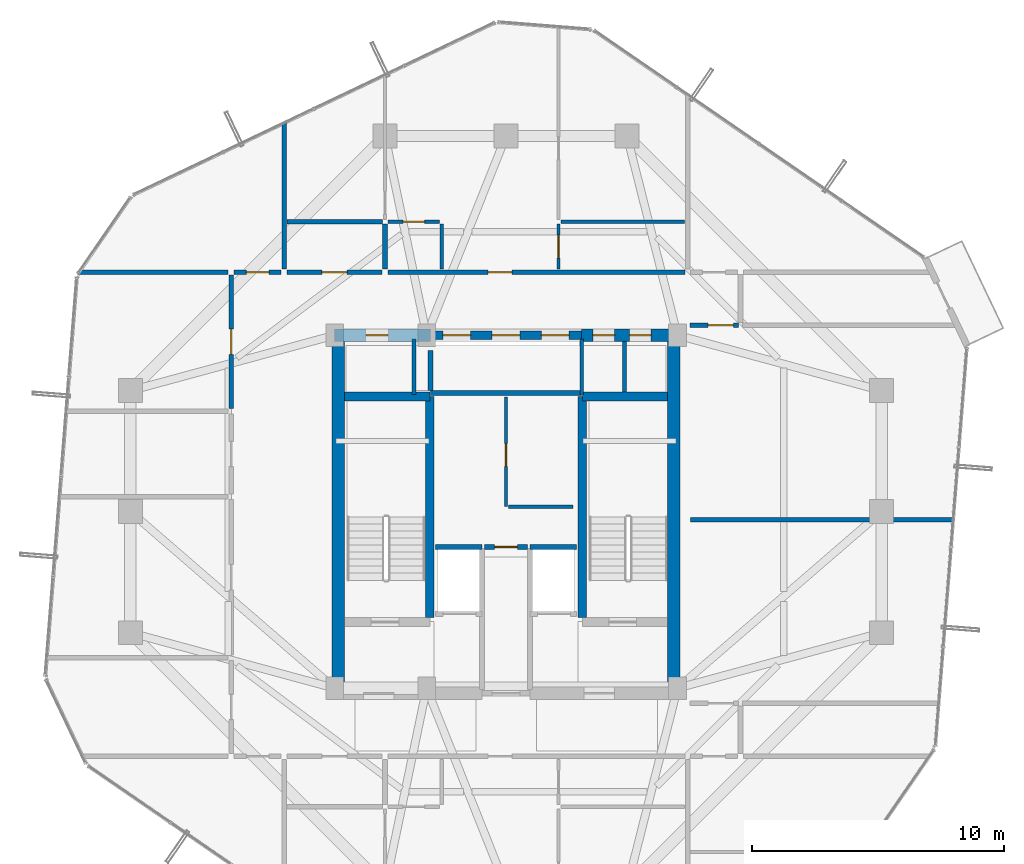
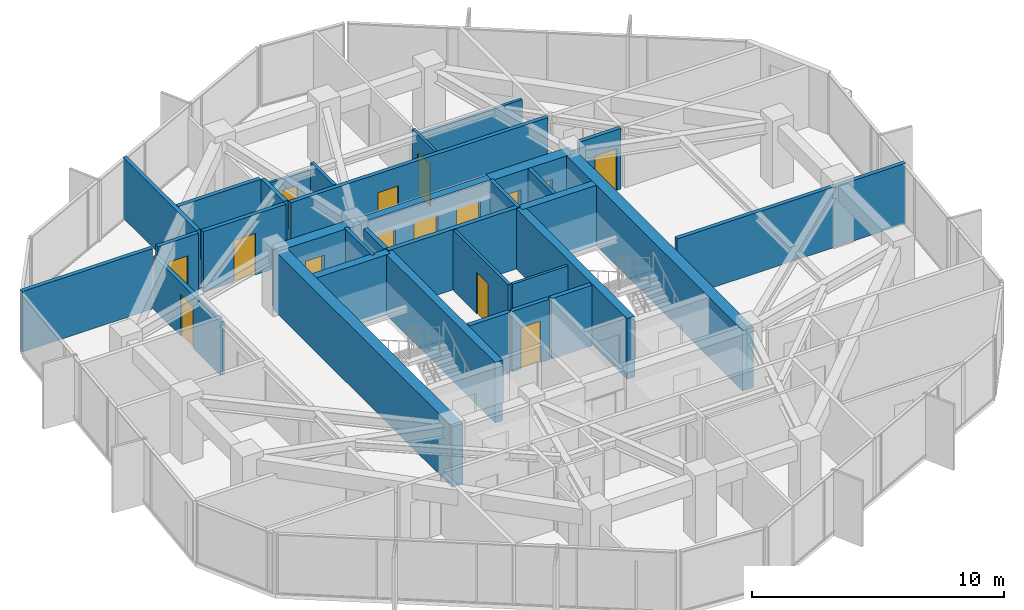
# One storey, part 26 of 29: 33 walls, 15 doors, 15 openings.
"""IFC4 building model written with IfcOpenShell, lengths in metres."""

from ifc_helpers import new_model, si_unit, direction, frame, frame_2d, origin, place, context, subcontext, project, spatial, rectangle, extrude, source, transform, mapped, material, layer, layer_set, type_object, element, fill, save


model = new_model("IFC4")

# Units and contexts
model_context = context("Model", 3, precision=1e-05, world=origin(), true_north=direction((0.0, 1.0)))
body_context = subcontext(model_context, "Body", "Model", "MODEL_VIEW")
ifc_project = project(units=[si_unit("LENGTHUNIT", "METRE"), si_unit("AREAUNIT", "SQUARE_METRE"), si_unit("VOLUMEUNIT", "CUBIC_METRE"), si_unit("PLANEANGLEUNIT", "RADIAN"), si_unit("MASSUNIT", "GRAM", prefix="KILO")], contexts=[model_context])

# Site, building, storey
site_placement = place(None, origin())
site = spatial("IfcSite", under=ifc_project, at=site_placement, CompositionType="ELEMENT")
building_placement = place(site_placement, origin())
building = spatial("IfcBuilding", under=site, at=building_placement, Name="Veraguas Prism Commons", CompositionType="ELEMENT")
storey_placement = place(building_placement, frame((0.0, 0.0, 222.14990234375)))
storey = spatial("IfcBuildingStorey", under=building, at=storey_placement, Name="L63", CompositionType="ELEMENT", Elevation=222.14990234375)

# Wall, openings, doors
ifc_material_1 = material(Name="Concrete C50/60", Category="concrete")
ifc_layer_1 = layer(ifc_material_1, 0.35009765625, Name="Core Internal Shear Wall Upper RC 350", Category="concrete")
ifc_layer_set_1 = layer_set([ifc_layer_1], Name="Concrete C50/60")
wall_type_1 = type_object("IfcWallType", Name="Core Internal Shear Wall Upper RC 350", PredefinedType="SHEAR", material=ifc_layer_set_1)
wall_1_placement = place(storey_placement, frame((21.0, 31.0, 0.0), z_axis=(0.0, 0.0, 1.0), x_axis=(1.0, 0.0, 0.0)))
wall_1 = element("IfcWall", 1, at=wall_1_placement, inside=storey, type_object=wall_type_1, Name="High-Rise Lift Bank Front Shear Wall L63", PredefinedType="SHEAR", context=body_context, shape_type="SweptSolid", body=[
    extrude(rectangle(XDim=6.0, YDim=0.35009765625, at=frame_2d((3.0, 0.0))), origin(), (0.0, 0.0, 1.0), 2.93017578125),
])
opening_1_placement = place(wall_1_placement, frame((0.5, 0.0, 0.0)))
opening_1 = element("IfcOpeningElement", 2, at=opening_1_placement, cuts=wall_1, Name="Opening LD-01", PredefinedType="OPENING", context=body_context, shape_type="SweptSolid", body=[
    extrude(rectangle(XDim=1.10009765625, YDim=2.080078125, at=frame_2d((0.550048828125, 1.0400390625))), frame((0.0, 0.18505859375, 0.0), z_axis=(0.0, -1.0, 0.0), x_axis=(1.0, 0.0, 0.0)), (0.0, 0.0, 1.0), 0.3701171875),
])
opening_2_placement = place(wall_1_placement, frame((2.449951171875, 0.0, 0.0)))
opening_2 = element("IfcOpeningElement", 3, at=opening_2_placement, cuts=wall_1, Name="Opening LD-01", PredefinedType="OPENING", context=body_context, shape_type="SweptSolid", body=[
    extrude(rectangle(XDim=1.10009765625, YDim=2.080078125, at=frame_2d((0.550048828125, 1.0400390625))), frame((0.0, 0.18505859375, 0.0), z_axis=(0.0, -1.0, 0.0), x_axis=(1.0, 0.0, 0.0)), (0.0, 0.0, 1.0), 0.3701171875),
])
opening_3_placement = place(wall_1_placement, frame((4.39990234375, 0.0, 0.0)))
opening_3 = element("IfcOpeningElement", 4, at=opening_3_placement, cuts=wall_1, Name="Opening LD-01", PredefinedType="OPENING", context=body_context, shape_type="SweptSolid", body=[
    extrude(rectangle(XDim=1.10009765625, YDim=2.080078125, at=frame_2d((0.550048828125, 1.0400390625))), frame((0.0, 0.18505859375, 0.0), z_axis=(0.0, -1.0, 0.0), x_axis=(1.0, 0.0, 0.0)), (0.0, 0.0, 1.0), 0.3701171875),
])
ifc_material_2 = material(Name="Stainless steel AISI 316", Category="steel")
door_type_1 = type_object("IfcDoorType", Name="Passenger Lift Sliding Landing Door 1100x2080", OperationType="NOTDEFINED", PredefinedType="DOOR", material=ifc_material_2)
shared_shape_1 = source(origin(), body_context, "Body", "SweptSolid", [
    extrude(rectangle(XDim=1.10009765625, YDim=2.080078125, at=frame_2d((0.550048828125, 1.0400390625))), frame((0.0, 0.02490234375, 0.0), z_axis=(0.0, -1.0, 0.0), x_axis=(1.0, 0.0, 0.0)), (0.0, 0.0, 1.0), 0.050048828125),
])
door_1_placement = place(opening_1_placement, origin())
door_1 = element("IfcDoor", 5, at=door_1_placement, inside=storey, type_object=door_type_1, Name="Sliding Landing Door PL-H1 L63", OperationType="SLIDING_TO_LEFT", OverallHeight=2.080078125, OverallWidth=1.10009765625, PredefinedType="DOOR", context=body_context, shape_type="MappedRepresentation", body=[
    mapped(shared_shape_1, transform((0.0, 0.0, 0.0), scale=1.0)),
])
fill(opening_1, door_1)
door_2_placement = place(opening_2_placement, origin())
door_2 = element("IfcDoor", 6, at=door_2_placement, inside=storey, type_object=door_type_1, Name="Sliding Landing Door PL-H2 L63", OperationType="SLIDING_TO_LEFT", OverallHeight=2.080078125, OverallWidth=1.10009765625, PredefinedType="DOOR", context=body_context, shape_type="MappedRepresentation", body=[
    mapped(shared_shape_1, transform((0.0, 0.0, 0.0), scale=1.0)),
])
fill(opening_2, door_2)
door_3_placement = place(opening_3_placement, origin())
door_3 = element("IfcDoor", 7, at=door_3_placement, inside=storey, type_object=door_type_1, Name="Sliding Landing Door PL-H3 L63", OperationType="SLIDING_TO_LEFT", OverallHeight=2.080078125, OverallWidth=1.10009765625, PredefinedType="DOOR", context=body_context, shape_type="MappedRepresentation", body=[
    mapped(shared_shape_1, transform((0.0, 0.0, 0.0), scale=1.0)),
])
fill(opening_3, door_3)

# Walls
for number, where, z_axis, x_axis, name in (
    (8, (20.97509765625, 19.800048828125, 0.0), (0.0, 0.0, 1.0), (0.0, 1.0, 0.0), "Stair ST-01 Inner Shear Wall L63"),
    (9, (27.02490234375, 19.800048828125, 0.0), (0.0, 0.0, 1.0), (0.0, 1.0, 0.0), "Stair ST-02 Inner Shear Wall L63"),
):
    element("IfcWall", number, at=place(storey_placement, frame(where, z_axis=z_axis, x_axis=x_axis)), inside=storey, type_object=wall_type_1, Name=name, PredefinedType="SHEAR", context=body_context, shape_type="SweptSolid", body=[
        extrude(rectangle(XDim=8.77490234375, YDim=0.35009765625, at=frame_2d((4.387451171875, 0.0))), origin(), (0.0, 0.0, 1.0), 2.93017578125),
    ])
for number, where, z_axis, x_axis, name in (
    (10, (17.60009765625, 28.574951171875, 0.0), (0.0, 0.0, 1.0), (1.0, 0.0, 0.0), "Stair ST-01 North Shear Wall L63"),
    (11, (27.02490234375, 28.574951171875, 0.0), (0.0, 0.0, 1.0), (1.0, 0.0, 0.0), "Stair ST-02 North Shear Wall L63"),
):
    element("IfcWall", number, at=place(storey_placement, frame(where, z_axis=z_axis, x_axis=x_axis)), inside=storey, type_object=wall_type_1, Name=name, PredefinedType="SHEAR", context=body_context, shape_type="SweptSolid", body=[
        extrude(rectangle(XDim=3.375, YDim=0.35009765625, at=frame_2d((1.6875, 0.0))), origin(), (0.0, 0.0, 1.0), 2.93017578125),
    ])
ifc_layer_2 = layer(ifc_material_1, 0.5, Name="Core Outer Shear Wall Upper RC 500", Category="concrete")
ifc_layer_set_2 = layer_set([ifc_layer_2], Name="Concrete C50/60")
wall_type_2 = type_object("IfcWallType", Name="Core Outer Shear Wall Upper RC 500", PredefinedType="SHEAR", material=ifc_layer_set_2)
for number, where, z_axis, x_axis, name in (
    (12, (17.35009765625, 16.800048828125, 0.0), (0.0, 0.0, 1.0), (0.0, 1.0, 0.0), "Central Core West Shear Wall L63"),
    (13, (30.64990234375, 16.800048828125, 0.0), (0.0, 0.0, 1.0), (0.0, 1.0, 0.0), "Central Core East Shear Wall L63"),
):
    element("IfcWall", number, at=place(storey_placement, frame(where, z_axis=z_axis, x_axis=x_axis)), inside=storey, type_object=wall_type_2, Name=name, PredefinedType="SHEAR", context=body_context, shape_type="SweptSolid", body=[
        extrude(rectangle(XDim=14.199951171875, YDim=0.5, at=frame_2d((7.10009765625, 0.0))), origin(), (0.0, 0.0, 1.0), 2.93017578125),
    ])

# Wall, opening, door
wall_2_placement = place(storey_placement, frame((17.199951171875, 31.0, 0.0), z_axis=(0.0, 0.0, 1.0), x_axis=(1.0, 0.0, 0.0)))
wall_2 = element("IfcWall", 14, at=wall_2_placement, inside=storey, type_object=wall_type_2, Name="Central Core North-West Shear Wall L63", PredefinedType="SHEAR", context=body_context, shape_type="SweptSolid", body=[
    extrude(rectangle(XDim=3.800048828125, YDim=0.5, at=frame_2d((1.89990234375, 0.0))), origin(), (0.0, 0.0, 1.0), 2.93017578125),
])
opening_4_placement = place(wall_2_placement, frame((1.25, 0.0, 0.0)))
opening_4 = element("IfcOpeningElement", 15, at=opening_4_placement, cuts=wall_2, Name="Opening DR-12", PredefinedType="OPENING", context=body_context, shape_type="SweptSolid", body=[
    extrude(rectangle(XDim=0.860107421875, YDim=2.010009765625, at=frame_2d((0.43017578125, 1.0048828125))), frame((0.0, 0.260009765625, 0.0), z_axis=(0.0, -1.0, 0.0), x_axis=(1.0, 0.0, 0.0)), (0.0, 0.0, 1.0), 0.52001953125),
])
ifc_material_3 = material(Name="Steel fire-rated door assembly", Category="steel")
door_type_2 = type_object("IfcDoorType", Name="Core WC Fire Door 860x2010", OperationType="NOTDEFINED", PredefinedType="DOOR", material=ifc_material_3)
shared_shape_2 = source(origin(), body_context, "Body", "SweptSolid", [
    extrude(rectangle(XDim=0.860107421875, YDim=2.010009765625, at=frame_2d((0.43017578125, 1.0048828125))), frame((0.0, 0.02490234375, 0.0), z_axis=(0.0, -1.0, 0.0), x_axis=(1.0, 0.0, 0.0)), (0.0, 0.0, 1.0), 0.050048828125),
])
door_4_placement = place(opening_4_placement, origin())
door_4 = element("IfcDoor", 16, at=door_4_placement, inside=storey, type_object=door_type_2, Name="Core NW Service Door L63", OperationType="SINGLE_SWING_RIGHT", OverallHeight=2.010009765625, OverallWidth=0.860107421875, PredefinedType="DOOR", context=body_context, shape_type="MappedRepresentation", body=[
    mapped(shared_shape_2, transform((0.0, 0.0, 0.0), scale=1.0)),
])
fill(opening_4, door_4)

# Wall, openings, doors
wall_3_placement = place(storey_placement, frame((27.0, 31.0, 0.0), z_axis=(0.0, 0.0, 1.0), x_axis=(1.0, 0.0, 0.0)))
wall_3 = element("IfcWall", 17, at=wall_3_placement, inside=storey, type_object=wall_type_2, Name="Central Core North-East Shear Wall L63", PredefinedType="SHEAR", context=body_context, shape_type="SweptSolid", body=[
    extrude(rectangle(XDim=3.800048828125, YDim=0.5, at=frame_2d((1.89990234375, 0.0))), origin(), (0.0, 0.0, 1.0), 2.93017578125),
])
opening_5_placement = place(wall_3_placement, frame((0.449951171875, 0.0, 0.0)))
opening_5 = element("IfcOpeningElement", 18, at=opening_5_placement, cuts=wall_3, Name="Opening DR-12", PredefinedType="OPENING", context=body_context, shape_type="SweptSolid", body=[
    extrude(rectangle(XDim=0.860107421875, YDim=2.010009765625, at=frame_2d((0.43017578125, 1.0048828125))), frame((0.0, 0.260009765625, 0.0), z_axis=(0.0, -1.0, 0.0), x_axis=(1.0, 0.0, 0.0)), (0.0, 0.0, 1.0), 0.52001953125),
])
opening_6_placement = place(wall_3_placement, frame((1.89990234375, 0.0, 0.0)))
opening_6 = element("IfcOpeningElement", 19, at=opening_6_placement, cuts=wall_3, Name="Opening DR-12", PredefinedType="OPENING", context=body_context, shape_type="SweptSolid", body=[
    extrude(rectangle(XDim=0.860107421875, YDim=2.010009765625, at=frame_2d((0.43017578125, 1.0048828125))), frame((0.0, 0.260009765625, 0.0), z_axis=(0.0, -1.0, 0.0), x_axis=(1.0, 0.0, 0.0)), (0.0, 0.0, 1.0), 0.52001953125),
])
door_5_placement = place(opening_5_placement, origin())
door_5 = element("IfcDoor", 20, at=door_5_placement, inside=storey, type_object=door_type_2, Name="Core NE Room A Door L63", OperationType="SINGLE_SWING_LEFT", OverallHeight=2.010009765625, OverallWidth=0.860107421875, PredefinedType="DOOR", context=body_context, shape_type="MappedRepresentation", body=[
    mapped(shared_shape_2, transform((0.0, 0.0, 0.0), scale=1.0)),
])
fill(opening_5, door_5)
door_6_placement = place(opening_6_placement, origin())
door_6 = element("IfcDoor", 21, at=door_6_placement, inside=storey, type_object=door_type_2, Name="Core NE Room B Door L63", OperationType="SINGLE_SWING_RIGHT", OverallHeight=2.010009765625, OverallWidth=0.860107421875, PredefinedType="DOOR", context=body_context, shape_type="MappedRepresentation", body=[
    mapped(shared_shape_2, transform((0.0, 0.0, 0.0), scale=1.0)),
])
fill(opening_6, door_6)

# Wall, opening, door
ifc_material_4 = material(Name="Autoclaved aerated masonry block 10 MPa", Category="masonry")
ifc_layer_3 = layer(ifc_material_4, 0.179931640625, Name="Corridor and Inter-Tenancy Partition 180", Category="masonry")
ifc_layer_set_3 = layer_set([ifc_layer_3], Name="Autoclaved aerated masonry block 10 MPa")
wall_type_3 = type_object("IfcWallType", Name="Corridor and Inter-Tenancy Partition 180", PredefinedType="PARTITIONING", material=ifc_layer_set_3)
wall_4_placement = place(storey_placement, frame((23.14990234375, 22.60009765625, 0.0), z_axis=(0.0, 0.0, 1.0), x_axis=(1.0, 0.0, 0.0)))
wall_4 = element("IfcWall", 22, at=wall_4_placement, inside=storey, type_object=wall_type_3, Name="Core Suite Entry Wall L63", PredefinedType="PARTITIONING", context=body_context, shape_type="SweptSolid", body=[
    extrude(rectangle(XDim=1.7001953125, YDim=0.179931640625, at=frame_2d((0.85009765625, 0.0))), origin(), (0.0, 0.0, 1.0), 2.93017578125),
])
opening_7_placement = place(wall_4_placement, frame((0.39990234375, 0.0, 0.0)))
opening_7 = element("IfcOpeningElement", 23, at=opening_7_placement, cuts=wall_4, Name="Opening DR-14", PredefinedType="OPENING", context=body_context, shape_type="SweptSolid", body=[
    extrude(rectangle(XDim=0.89990234375, YDim=2.010009765625, at=frame_2d((0.449951171875, 1.0048828125))), frame((0.0, 0.099853515625, 0.0), z_axis=(0.0, -1.0, 0.0), x_axis=(1.0, 0.0, 0.0)), (0.0, 0.0, 1.0), 0.199951171875),
])
door_type_3 = type_object("IfcDoorType", Name="Core Service Room Fire Door 900x2010", OperationType="NOTDEFINED", PredefinedType="DOOR", material=ifc_material_3)
shared_shape_3 = source(origin(), body_context, "Body", "SweptSolid", [
    extrude(rectangle(XDim=0.89990234375, YDim=2.010009765625, at=frame_2d((0.449951171875, 1.0048828125))), frame((0.0, 0.02490234375, 0.0), z_axis=(0.0, -1.0, 0.0), x_axis=(1.0, 0.0, 0.0)), (0.0, 0.0, 1.0), 0.050048828125),
])
door_7_placement = place(opening_7_placement, origin())
door_7 = element("IfcDoor", 24, at=door_7_placement, inside=storey, type_object=door_type_3, Name="Core Suite Entry Door L63", OperationType="SINGLE_SWING_LEFT", OverallHeight=2.010009765625, OverallWidth=0.89990234375, PredefinedType="DOOR", context=body_context, shape_type="MappedRepresentation", body=[
    mapped(shared_shape_3, transform((0.0, 0.0, 0.0), scale=1.0)),
])
fill(opening_7, door_7)

# Wall
wall_5_placement = place(storey_placement, frame((15.199951171875, 33.6201171875, 0.0), z_axis=(0.0, 0.0, 1.0), x_axis=(0.0, 1.0, 0.0)))
element("IfcWall", 25, at=wall_5_placement, inside=storey, type_object=wall_type_3, Name="WL-L63-PT013", PredefinedType="PARTITIONING", context=body_context, shape_type="SweptSolid", body=[
    extrude(rectangle(XDim=5.837890625, YDim=0.179931640625, at=frame_2d((2.9189453125, 0.0))), origin(), (0.0, 0.0, 1.0), 2.93017578125),
])

# Wall, opening, door
wall_6_placement = place(storey_placement, frame((15.31005859375, 33.5, 0.0), z_axis=(0.0, 0.0, 1.0), x_axis=(1.0, 0.0, 0.0)))
wall_6 = element("IfcWall", 26, at=wall_6_placement, inside=storey, type_object=wall_type_3, Name="WL-L63-PT015", PredefinedType="PARTITIONING", context=body_context, shape_type="SweptSolid", body=[
    extrude(rectangle(XDim=3.780029296875, YDim=0.179931640625, at=frame_2d((1.89013671875, 0.0))), origin(), (0.0, 0.0, 1.0), 2.93017578125),
])
opening_8_placement = place(wall_6_placement, frame((1.389892578125, 0.0, 0.0)))
opening_8 = element("IfcOpeningElement", 27, at=opening_8_placement, cuts=wall_6, Name="Opening DR-13", PredefinedType="OPENING", context=body_context, shape_type="SweptSolid", body=[
    extrude(rectangle(XDim=1.0, YDim=2.010009765625, at=frame_2d((0.5, 1.0048828125))), frame((0.0, 0.099853515625, 0.0), z_axis=(0.0, -1.0, 0.0), x_axis=(1.0, 0.0, 0.0)), (0.0, 0.0, 1.0), 0.199951171875),
])
door_type_4 = type_object("IfcDoorType", Name="Core Accessible WC and Clinic Fire Door 1000x2010", OperationType="NOTDEFINED", PredefinedType="DOOR", material=ifc_material_3)
shared_shape_4 = source(origin(), body_context, "Body", "SweptSolid", [
    extrude(rectangle(XDim=1.0, YDim=2.010009765625, at=frame_2d((0.5, 1.0048828125))), frame((0.0, 0.02490234375, 0.0), z_axis=(0.0, -1.0, 0.0), x_axis=(1.0, 0.0, 0.0)), (0.0, 0.0, 1.0), 0.050048828125),
])
door_8_placement = place(opening_8_placement, origin())
door_8 = element("IfcDoor", 28, at=door_8_placement, inside=storey, type_object=door_type_4, Name="Residents Study Alcove 63B Door", OperationType="SINGLE_SWING_LEFT", OverallHeight=2.010009765625, OverallWidth=1.0, PredefinedType="DOOR", context=body_context, shape_type="MappedRepresentation", body=[
    mapped(shared_shape_4, transform((0.0, 0.0, 0.0), scale=1.0)),
])
fill(opening_8, door_8)

wall_7_placement = place(storey_placement, frame((19.31005859375, 33.5, 0.0), z_axis=(0.0, 0.0, 1.0), x_axis=(1.0, 0.0, 0.0)))
wall_7 = element("IfcWall", 29, at=wall_7_placement, inside=storey, type_object=wall_type_3, Name="WL-L63-PT016", PredefinedType="PARTITIONING", context=body_context, shape_type="SweptSolid", body=[
    extrude(rectangle(XDim=11.780029296875, YDim=0.179931640625, at=frame_2d((5.89013671875, 0.0))), origin(), (0.0, 0.0, 1.0), 2.93017578125),
])
opening_9_placement = place(wall_7_placement, frame((3.97998046875, 0.0, 0.0)))
opening_9 = element("IfcOpeningElement", 30, at=opening_9_placement, cuts=wall_7, Name="Opening DR-01", PredefinedType="OPENING", context=body_context, shape_type="SweptSolid", body=[
    extrude(rectangle(XDim=0.949951171875, YDim=2.02001953125, at=frame_2d((0.47509765625, 1.010009765625))), frame((0.0, 0.099853515625, 0.0), z_axis=(0.0, -1.0, 0.0), x_axis=(1.0, 0.0, 0.0)), (0.0, 0.0, 1.0), 0.199951171875),
])
ifc_material_5 = material(Name="Anodised aluminium EN AW-6063 T6", Category="aluminium")
door_type_5 = type_object("IfcDoorType", Name="Apartment Entrance Fire Door 950x2020", OperationType="NOTDEFINED", PredefinedType="DOOR", material=ifc_material_5)
shared_shape_5 = source(origin(), body_context, "Body", "SweptSolid", [
    extrude(rectangle(XDim=0.949951171875, YDim=2.02001953125, at=frame_2d((0.47509765625, 1.010009765625))), frame((0.0, 0.02490234375, 0.0), z_axis=(0.0, -1.0, 0.0), x_axis=(1.0, 0.0, 0.0)), (0.0, 0.0, 1.0), 0.050048828125),
])
door_9_placement = place(opening_9_placement, origin())
door_9 = element("IfcDoor", 31, at=door_9_placement, inside=storey, type_object=door_type_5, Name="Flat 63B Entrance Door", OperationType="SINGLE_SWING_RIGHT", OverallHeight=2.02001953125, OverallWidth=0.949951171875, PredefinedType="DOOR", context=body_context, shape_type="MappedRepresentation", body=[
    mapped(shared_shape_5, transform((0.0, 0.0, 0.0), scale=1.0)),
])
fill(opening_9, door_9)

# Walls
wall_8_placement = place(storey_placement, frame((15.320068359375, 35.5, 0.0), z_axis=(0.0, 0.0, 1.0), x_axis=(1.0, 0.0, 0.0)))
element("IfcWall", 32, at=wall_8_placement, inside=storey, type_object=wall_type_3, Name="WL-L63-PT017", PredefinedType="PARTITIONING", context=body_context, shape_type="SweptSolid", body=[
    extrude(rectangle(XDim=3.780029296875, YDim=0.179931640625, at=frame_2d((1.89013671875, 0.0))), origin(), (0.0, 0.0, 1.0), 2.93017578125),
])
wall_9_placement = place(storey_placement, frame((19.199951171875, 33.6201171875, 0.0), z_axis=(0.0, 0.0, 1.0), x_axis=(0.0, 1.0, 0.0)))
element("IfcWall", 33, at=wall_9_placement, inside=storey, type_object=wall_type_3, Name="WL-L63-PT018", PredefinedType="PARTITIONING", context=body_context, shape_type="SweptSolid", body=[
    extrude(rectangle(XDim=1.7998046875, YDim=0.179931640625, at=frame_2d((0.89990234375, 0.0))), origin(), (0.0, 0.0, 1.0), 2.93017578125),
])
wall_10_placement = place(storey_placement, frame((12.97998046875, 33.5, 0.0), z_axis=(0.0, 0.0, 1.0), x_axis=(-1.0, 0.0, 0.0)))
element("IfcWall", 34, at=wall_10_placement, inside=storey, type_object=wall_type_3, Name="WL-L63-PT026", PredefinedType="PARTITIONING", context=body_context, shape_type="SweptSolid", body=[
    extrude(rectangle(XDim=5.958984375, YDim=0.179931640625, at=frame_2d((2.9794921875, 0.0))), origin(), (0.0, 0.0, 1.0), 2.93017578125),
])

# Wall, opening, door
wall_11_placement = place(storey_placement, frame((13.10009765625, 28.087890625, 0.0), z_axis=(0.0, 0.0, 1.0), x_axis=(0.0, 1.0, 0.0)))
wall_11 = element("IfcWall", 35, at=wall_11_placement, inside=storey, type_object=wall_type_3, Name="WL-L63-PT032", PredefinedType="PARTITIONING", context=body_context, shape_type="SweptSolid", body=[
    extrude(rectangle(XDim=5.302001953125, YDim=0.179931640625, at=frame_2d((2.65087890625, 0.0))), origin(), (0.0, 0.0, 1.0), 2.5771484375),
])
opening_10_placement = place(wall_11_placement, frame((2.15087890625, 0.0, 0.0)))
opening_10 = element("IfcOpeningElement", 36, at=opening_10_placement, cuts=wall_11, Name="Opening DR-13", PredefinedType="OPENING", context=body_context, shape_type="SweptSolid", body=[
    extrude(rectangle(XDim=1.0, YDim=2.010009765625, at=frame_2d((0.5, 1.0048828125))), frame((0.0, 0.099853515625, 0.0), z_axis=(0.0, -1.0, 0.0), x_axis=(1.0, 0.0, 0.0)), (0.0, 0.0, 1.0), 0.199951171875),
])
door_10_placement = place(opening_10_placement, origin())
door_10 = element("IfcDoor", 37, at=door_10_placement, inside=storey, type_object=door_type_4, Name="Co-op Store W Door", OperationType="SINGLE_SWING_RIGHT", OverallHeight=2.010009765625, OverallWidth=1.0, PredefinedType="DOOR", context=body_context, shape_type="MappedRepresentation", body=[
    mapped(shared_shape_4, transform((0.0, 0.0, 0.0), scale=1.0)),
])
fill(opening_10, door_10)

# Wall
wall_12_placement = place(storey_placement, frame((31.320068359375, 23.675048828125, 0.0), z_axis=(0.0, 0.0, 1.0), x_axis=(1.0, 0.0, 0.0)))
element("IfcWall", 38, at=wall_12_placement, inside=storey, type_object=wall_type_3, Name="WL-L63-PT034", PredefinedType="PARTITIONING", context=body_context, shape_type="SweptSolid", body=[
    extrude(rectangle(XDim=10.449951171875, YDim=0.179931640625, at=frame_2d((5.22509765625, 0.0))), origin(), (0.0, 0.0, 1.0), 2.93017578125),
])

# Wall, opening, door
wall_13_placement = place(storey_placement, frame((31.300048828125, 31.39990234375, 0.0), z_axis=(0.0, 0.0, 1.0), x_axis=(1.0, 0.0, 0.0)))
wall_13 = element("IfcWall", 39, at=wall_13_placement, inside=storey, type_object=wall_type_3, Name="WL-L63-PT039", PredefinedType="PARTITIONING", context=body_context, shape_type="SweptSolid", body=[
    extrude(rectangle(XDim=1.919921875, YDim=0.179931640625, at=frame_2d((0.9599609375, 0.0))), origin(), (0.0, 0.0, 1.0), 2.93017578125),
])
opening_11_placement = place(wall_13_placement, frame((0.719970703125, 0.0, 0.0)))
opening_11 = element("IfcOpeningElement", 40, at=opening_11_placement, cuts=wall_13, Name="Opening DR-13", PredefinedType="OPENING", context=body_context, shape_type="SweptSolid", body=[
    extrude(rectangle(XDim=1.0, YDim=2.010009765625, at=frame_2d((0.5, 1.0048828125))), frame((0.0, 0.099853515625, 0.0), z_axis=(0.0, -1.0, 0.0), x_axis=(1.0, 0.0, 0.0)), (0.0, 0.0, 1.0), 0.199951171875),
])
door_11_placement = place(opening_11_placement, origin())
door_11 = element("IfcDoor", 41, at=door_11_placement, inside=storey, type_object=door_type_4, Name="Study Salon Door L63", OperationType="SINGLE_SWING_RIGHT", OverallHeight=2.010009765625, OverallWidth=1.0, PredefinedType="DOOR", context=body_context, shape_type="MappedRepresentation", body=[
    mapped(shared_shape_4, transform((0.0, 0.0, 0.0), scale=1.0)),
])
fill(opening_11, door_11)

wall_14_placement = place(storey_placement, frame((13.219970703125, 33.5, 0.0), z_axis=(0.0, 0.0, 1.0), x_axis=(1.0, 0.0, 0.0)))
wall_14 = element("IfcWall", 42, at=wall_14_placement, inside=storey, type_object=wall_type_3, Name="WL-L63-PT045", PredefinedType="PARTITIONING", context=body_context, shape_type="SweptSolid", body=[
    extrude(rectangle(XDim=1.860107421875, YDim=0.179931640625, at=frame_2d((0.93017578125, 0.0))), origin(), (0.0, 0.0, 1.0), 2.93017578125),
])
opening_12_placement = place(wall_14_placement, frame((0.47998046875, 0.0, 0.0)))
opening_12 = element("IfcOpeningElement", 43, at=opening_12_placement, cuts=wall_14, Name="Opening DR-14", PredefinedType="OPENING", context=body_context, shape_type="SweptSolid", body=[
    extrude(rectangle(XDim=0.89990234375, YDim=2.010009765625, at=frame_2d((0.449951171875, 1.0048828125))), frame((0.0, 0.099853515625, 0.0), z_axis=(0.0, -1.0, 0.0), x_axis=(1.0, 0.0, 0.0)), (0.0, 0.0, 1.0), 0.199951171875),
])
door_12_placement = place(opening_12_placement, origin())
door_12 = element("IfcDoor", 44, at=door_12_placement, inside=storey, type_object=door_type_3, Name="Community Co-op Kitchen NW Door", OperationType="SINGLE_SWING_RIGHT", OverallHeight=2.010009765625, OverallWidth=0.89990234375, PredefinedType="DOOR", context=body_context, shape_type="MappedRepresentation", body=[
    mapped(shared_shape_3, transform((0.0, 0.0, 0.0), scale=1.0)),
])
fill(opening_12, door_12)

# Wall
ifc_material_6 = material(Name="Lightweight acoustic gypsum board")
ifc_layer_4 = layer(ifc_material_6, 0.125, Name="Internal Apartment Room Partition 125")
ifc_layer_set_4 = layer_set([ifc_layer_4], Name="Lightweight acoustic gypsum board")
wall_type_4 = type_object("IfcWallType", Name="Internal Apartment Room Partition 125", PredefinedType="PARTITIONING", material=ifc_layer_set_4)
wall_15_placement = place(storey_placement, frame((24.10009765625, 24.199951171875, 0.0), z_axis=(0.0, 0.0, 1.0), x_axis=(1.0, 0.0, 0.0)))
element("IfcWall", 45, at=wall_15_placement, inside=storey, type_object=wall_type_4, Name="Telehealth Pod South Wall L63", PredefinedType="PARTITIONING", context=body_context, shape_type="SweptSolid", body=[
    extrude(rectangle(XDim=2.5498046875, YDim=0.125, at=frame_2d((1.27490234375, 0.0))), origin(), (0.0, 0.0, 1.0), 2.93017578125),
])

# Wall, opening, door
wall_16_placement = place(storey_placement, frame((24.0, 24.199951171875, 0.0), z_axis=(0.0, 0.0, 1.0), x_axis=(0.0, 1.0, 0.0)))
wall_16 = element("IfcWall", 46, at=wall_16_placement, inside=storey, type_object=wall_type_4, Name="Telehealth Pod West Wall L63", PredefinedType="PARTITIONING", context=body_context, shape_type="SweptSolid", body=[
    extrude(rectangle(XDim=4.35009765625, YDim=0.125, at=frame_2d((2.175048828125, 0.0))), origin(), (0.0, 0.0, 1.0), 2.93017578125),
])
opening_13_placement = place(wall_16_placement, frame((1.60009765625, 0.0, 0.0)))
opening_13 = element("IfcOpeningElement", 47, at=opening_13_placement, cuts=wall_16, Name="Opening DR-02", PredefinedType="OPENING", context=body_context, shape_type="SweptSolid", body=[
    extrude(rectangle(XDim=0.89990234375, YDim=2.010009765625, at=frame_2d((0.449951171875, 1.0048828125))), frame((0.0, 0.072509765625, 0.0), z_axis=(0.0, -1.0, 0.0), x_axis=(1.0, 0.0, 0.0)), (0.0, 0.0, 1.0), 0.14501953125),
])
ifc_material_7 = material(Name="Timber solid core hardwood", Category="wood")
door_type_6 = type_object("IfcDoorType", Name="Internal Habitable Room Door 900x2010", OperationType="NOTDEFINED", PredefinedType="DOOR", material=ifc_material_7)
door_13_placement = place(opening_13_placement, origin())
door_13 = element("IfcDoor", 48, at=door_13_placement, inside=storey, type_object=door_type_6, Name="Telehealth Pod Door L63", OperationType="SINGLE_SWING_RIGHT", OverallHeight=2.010009765625, OverallWidth=0.89990234375, PredefinedType="DOOR", context=body_context, shape_type="MappedRepresentation", body=[
    mapped(shared_shape_3, transform((0.0, 0.0, 0.0), scale=1.0)),
])
fill(opening_13, door_13)

wall_17_placement = place(storey_placement, frame((19.320068359375, 35.5, 0.0), z_axis=(0.0, 0.0, 1.0), x_axis=(1.0, 0.0, 0.0)))
wall_17 = element("IfcWall", 49, at=wall_17_placement, inside=storey, type_object=wall_type_4, Name="WL-L63-PT021", PredefinedType="PARTITIONING", context=body_context, shape_type="SweptSolid", body=[
    extrude(rectangle(XDim=2.050048828125, YDim=0.125, at=frame_2d((1.02490234375, 0.0))), origin(), (0.0, 0.0, 1.0), 2.5771484375),
])
opening_14_placement = place(wall_17_placement, frame((0.594970703125, 0.0, 0.0)))
opening_14 = element("IfcOpeningElement", 50, at=opening_14_placement, cuts=wall_17, Name="Opening DR-03", PredefinedType="OPENING", context=body_context, shape_type="SweptSolid", body=[
    extrude(rectangle(XDim=0.860107421875, YDim=2.010009765625, at=frame_2d((0.43017578125, 1.0048828125))), frame((0.0, 0.072509765625, 0.0), z_axis=(0.0, -1.0, 0.0), x_axis=(1.0, 0.0, 0.0)), (0.0, 0.0, 1.0), 0.14501953125),
])
ifc_material_8 = material(Name="Timber moisture-resistant leaf", Category="wood")
door_type_7 = type_object("IfcDoorType", Name="Internal Bathroom Door 860x2010", OperationType="NOTDEFINED", PredefinedType="DOOR", material=ifc_material_8)
door_14_placement = place(opening_14_placement, origin())
door_14 = element("IfcDoor", 51, at=door_14_placement, inside=storey, type_object=door_type_7, Name="Flat 63B Bathroom Door", OperationType="SINGLE_SWING_RIGHT", OverallHeight=2.010009765625, OverallWidth=0.860107421875, PredefinedType="DOOR", context=body_context, shape_type="MappedRepresentation", body=[
    mapped(shared_shape_2, transform((0.0, 0.0, 0.0), scale=1.0)),
])
fill(opening_14, door_14)

wall_18_placement = place(storey_placement, frame((26.080078125, 33.6201171875, 0.0), z_axis=(0.0, 0.0, 1.0), x_axis=(0.0, 1.0, 0.0)))
wall_18 = element("IfcWall", 52, at=wall_18_placement, inside=storey, type_object=wall_type_4, Name="WL-L63-PT022", PredefinedType="PARTITIONING", context=body_context, shape_type="SweptSolid", body=[
    extrude(rectangle(XDim=1.7998046875, YDim=0.125, at=frame_2d((0.89990234375, 0.0))), origin(), (0.0, 0.0, 1.0), 2.93017578125),
])
opening_15_placement = place(wall_18_placement, frame((0.449951171875, 0.0, 0.0)))
opening_15 = element("IfcOpeningElement", 53, at=opening_15_placement, cuts=wall_18, Name="Opening DR-02", PredefinedType="OPENING", context=body_context, shape_type="SweptSolid", body=[
    extrude(rectangle(XDim=0.89990234375, YDim=2.010009765625, at=frame_2d((0.449951171875, 1.0048828125))), frame((0.0, 0.072509765625, 0.0), z_axis=(0.0, -1.0, 0.0), x_axis=(1.0, 0.0, 0.0)), (0.0, 0.0, 1.0), 0.14501953125),
])
door_15_placement = place(opening_15_placement, origin())
door_15 = element("IfcDoor", 54, at=door_15_placement, inside=storey, type_object=door_type_6, Name="Flat 63B Kitchen Door", OperationType="SINGLE_SWING_LEFT", OverallHeight=2.010009765625, OverallWidth=0.89990234375, PredefinedType="DOOR", context=body_context, shape_type="MappedRepresentation", body=[
    mapped(shared_shape_3, transform((0.0, 0.0, 0.0), scale=1.0)),
])
fill(opening_15, door_15)

# Walls
wall_19_placement = place(storey_placement, frame((26.179931640625, 35.5, 0.0), z_axis=(0.0, 0.0, 1.0), x_axis=(1.0, 0.0, 0.0)))
element("IfcWall", 55, at=wall_19_placement, inside=storey, type_object=wall_type_4, Name="WL-L63-PT023", PredefinedType="PARTITIONING", context=body_context, shape_type="SweptSolid", body=[
    extrude(rectangle(XDim=4.900146484375, YDim=0.125, at=frame_2d((2.4501953125, 0.0))), origin(), (0.0, 0.0, 1.0), 2.5771484375),
])
ifc_layer_5 = layer(ifc_material_4, 0.199951171875, Name="Rated Shaft and Lobby Block Wall 200", Category="masonry")
ifc_layer_set_5 = layer_set([ifc_layer_5], Name="Autoclaved aerated masonry block 10 MPa")
wall_type_5 = type_object("IfcWallType", Name="Rated Shaft and Lobby Block Wall 200", PredefinedType="SOLIDWALL", material=ifc_layer_set_5)
for number, where, z_axis, x_axis, name in (
    (56, (21.199951171875, 22.60009765625, 0.0), (0.0, 0.0, 1.0), (1.0, 0.0, 0.0), "Firefighting Lift FFL-1 Rear Wall L63"),
    (57, (24.949951171875, 22.60009765625, 0.0), (0.0, 0.0, 1.0), (1.0, 0.0, 0.0), "Firefighting Lift FFL-2 Rear Wall L63"),
):
    element("IfcWall", number, at=place(storey_placement, frame(where, z_axis=z_axis, x_axis=x_axis)), inside=storey, type_object=wall_type_5, Name=name, PredefinedType="SOLIDWALL", context=body_context, shape_type="SweptSolid", body=[
        extrude(rectangle(XDim=1.85009765625, YDim=0.199951171875, at=frame_2d((0.925048828125, 0.0))), origin(), (0.0, 0.0, 1.0), 2.93017578125),
    ])
wall_20_placement = place(storey_placement, frame((21.0, 28.699951171875, 0.0), z_axis=(0.0, 0.0, 1.0), x_axis=(1.0, 0.0, 0.0)))
element("IfcWall", 58, at=wall_20_placement, inside=storey, type_object=wall_type_5, Name="High-Rise Lift Bank Rear Shaft Wall L63", PredefinedType="SOLIDWALL", context=body_context, shape_type="SweptSolid", body=[
    extrude(rectangle(XDim=6.0, YDim=0.199951171875, at=frame_2d((3.0, 0.0))), origin(), (0.0, 0.0, 1.0), 2.93017578125),
])
wall_21_placement = place(storey_placement, frame((21.0, 28.800048828125, 0.0), z_axis=(0.0, 0.0, 1.0), x_axis=(0.0, 1.0, 0.0)))
element("IfcWall", 59, at=wall_21_placement, inside=storey, type_object=wall_type_5, Name="High-Rise Lift Bank West Shaft Wall L63", PredefinedType="SOLIDWALL", context=body_context, shape_type="SweptSolid", body=[
    extrude(rectangle(XDim=1.599853515625, YDim=0.199951171875, at=frame_2d((0.7998046875, 0.0))), origin(), (0.0, 0.0, 1.0), 2.93017578125),
])
ifc_layer_6 = layer(ifc_material_6, 0.14990234375, Name="Wet Room and Clinic Acoustic Partition 150")
ifc_layer_set_6 = layer_set([ifc_layer_6], Name="Lightweight acoustic gypsum board")
wall_type_6 = type_object("IfcWallType", Name="Wet Room and Clinic Acoustic Partition 150", PredefinedType="PARTITIONING", material=ifc_layer_set_6)
for number, where, z_axis, x_axis, name in (
    (60, (20.35009765625, 28.64990234375, 0.0), (0.0, 0.0, 1.0), (0.0, 1.0, 0.0), "Core NW Service Inner Wall L63"),
    (61, (27.0, 28.64990234375, 0.0), (0.0, 0.0, 1.0), (0.0, 1.0, 0.0), "Core NE Service Inner Wall L63"),
):
    element("IfcWall", number, at=place(storey_placement, frame(where, z_axis=z_axis, x_axis=x_axis)), inside=storey, type_object=wall_type_6, Name=name, PredefinedType="PARTITIONING", context=body_context, shape_type="SweptSolid", body=[
        extrude(rectangle(XDim=2.2001953125, YDim=0.14990234375, at=frame_2d((1.10009765625, 0.0))), origin(), (0.0, 0.0, 1.0), 2.93017578125),
    ])
wall_22_placement = place(storey_placement, frame((28.699951171875, 28.75, 0.0), z_axis=(0.0, 0.0, 1.0), x_axis=(0.0, 1.0, 0.0)))
element("IfcWall", 62, at=wall_22_placement, inside=storey, type_object=wall_type_6, Name="WL-L63-CSVD1", PredefinedType="PARTITIONING", context=body_context, shape_type="SweptSolid", body=[
    extrude(rectangle(XDim=2.0, YDim=0.14990234375, at=frame_2d((1.0, 0.0))), origin(), (0.0, 0.0, 1.0), 2.93017578125),
])
wall_23_placement = place(storey_placement, frame((21.449951171875, 33.6201171875, 0.0), z_axis=(0.0, 0.0, 1.0), x_axis=(0.0, 1.0, 0.0)))
element("IfcWall", 63, at=wall_23_placement, inside=storey, type_object=wall_type_6, Name="WL-L63-PT020", PredefinedType="PARTITIONING", context=body_context, shape_type="SweptSolid", body=[
    extrude(rectangle(XDim=1.7998046875, YDim=0.14990234375, at=frame_2d((0.89990234375, 0.0))), origin(), (0.0, 0.0, 1.0), 2.93017578125),
])

save(model, "model.ifc")
